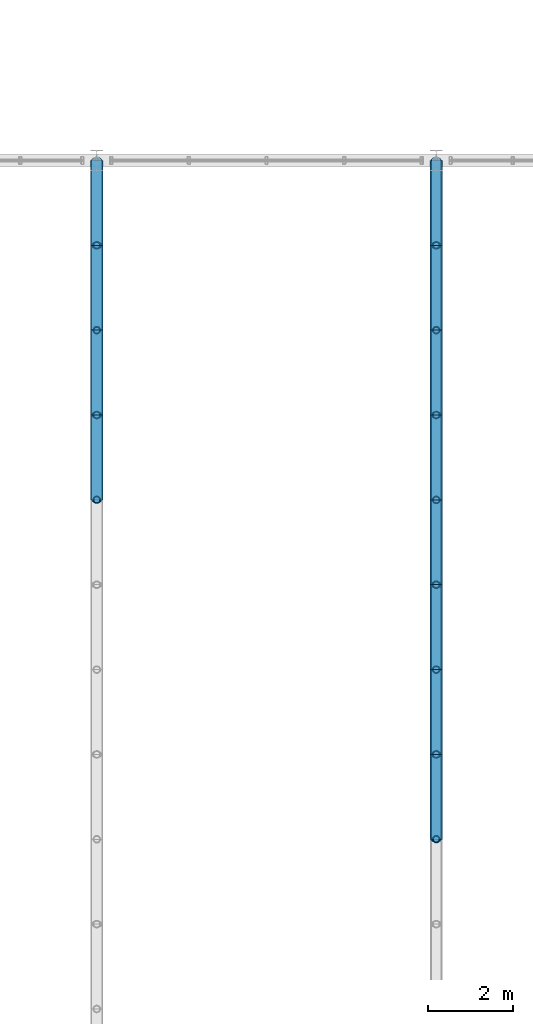
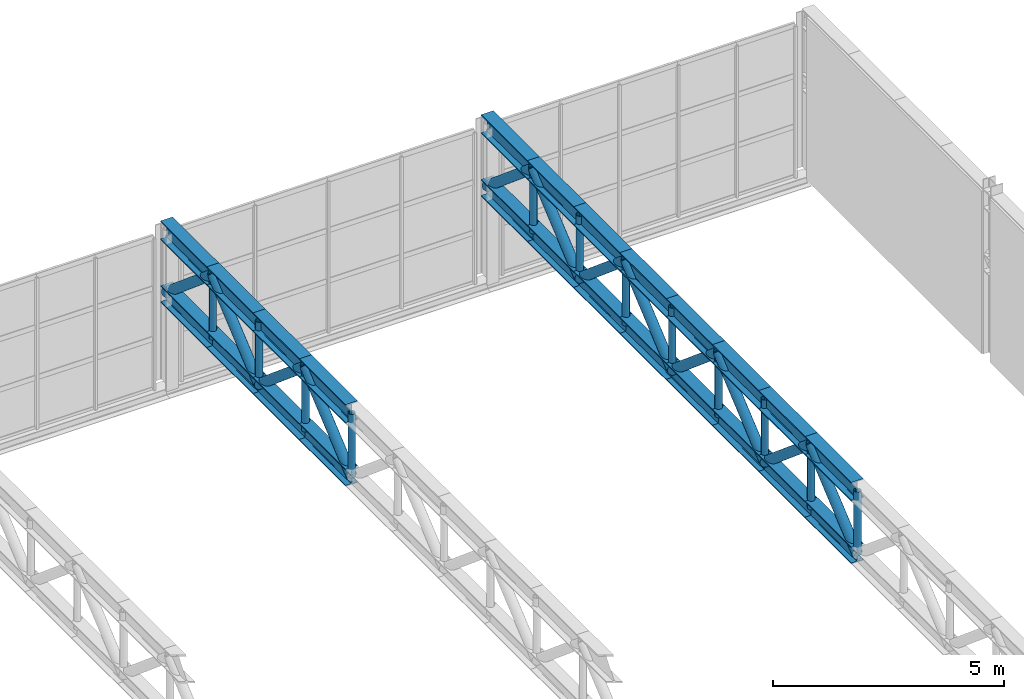
# One storey, part 35 of 67: 48 members.
"""IFC4 building model written with IfcOpenShell, lengths in metres."""

from ifc_helpers import new_model, si_unit, derived_unit, direction, frame, origin, origin_2d, place, context, subcontext, project, spatial, hollow_circle, i_section, extrude, material, material_profile, profile_set, type_object, element, save


model = new_model("IFC4")

# Units and contexts
model_context = context("Model", 3, precision=1e-05, world=origin(), true_north=direction((0.0, 1.0)))
body_context = subcontext(model_context, "Body", "Model", "MODEL_VIEW")
ifc_project = project(units=[si_unit("LENGTHUNIT", "METRE"), si_unit("AREAUNIT", "SQUARE_METRE"), si_unit("VOLUMEUNIT", "CUBIC_METRE"), si_unit("PLANEANGLEUNIT", "RADIAN"), si_unit("MASSUNIT", "GRAM", prefix="KILO"), derived_unit("THERMALTRANSMITTANCEUNIT", [(si_unit("POWERUNIT", "WATT"), 1), (si_unit("LENGTHUNIT", "METRE"), -2), (si_unit("THERMODYNAMICTEMPERATUREUNIT", "KELVIN"), -1)])], contexts=[model_context])

# Site, building, storey
site_placement = place(None, origin())
site = spatial("IfcSite", under=ifc_project, at=site_placement, CompositionType="ELEMENT")
building_placement = place(site_placement, origin())
building = spatial("IfcBuilding", under=site, at=building_placement, Name="Keldorne Ridge Multi-Sports Centre", CompositionType="ELEMENT")
storey_placement = place(building_placement, frame((0.0, 0.0, 14.0)))
storey = spatial("IfcBuildingStorey", under=building, at=storey_placement, Name="L03", CompositionType="ELEMENT", Elevation=14.0)

# Members
ifc_material = material(Name="Steel S355", Category="steel")
ifc_material_profile_1 = material_profile(ifc_material, i_section(OverallWidth=0.300048828125, OverallDepth=0.5, WebThickness=0.014404296875, FlangeThickness=0.028076171875, FilletRadius=0.027099609375, at=origin_2d()), Name="HEB 500")
ifc_profile_set_1 = profile_set([ifc_material_profile_1], Name="Steel S355")
member_type_1 = type_object("IfcMemberType", Name="MEM-TC-03", PredefinedType="CHORD", material=ifc_profile_set_1)
for number, where, z_axis, x_axis, name in (
    (1, (152.0, 46.0, 4.110107421875), (0.0, 1.0, 0.0), (-1.0, 0.0, 0.0), "Stacked Courts Warren TRUSS WT-L04-07 top chord 21"),
    (2, (152.0, 48.0, 4.110107421875), (0.0, 1.0, 0.0), (-1.0, 0.0, 0.0), "Stacked Courts Warren TRUSS WT-L04-07 top chord 22"),
    (3, (152.0, 50.0, 4.110107421875), (0.0, 1.0, 0.0), (-1.0, 0.0, 0.0), "Stacked Courts Warren TRUSS WT-L04-07 top chord 23"),
    (4, (152.0, 52.0, 4.110107421875), (0.0, 1.0, 0.0), (-1.0, 0.0, 0.0), "Stacked Courts Warren TRUSS WT-L04-07 top chord 24"),
    (5, (160.0, 38.0, 4.110107421875), (0.0, 1.0, 0.0), (-1.0, 0.0, 0.0), "Stacked Courts Warren TRUSS WT-L04-08 top chord 17"),
    (6, (160.0, 40.0, 4.110107421875), (0.0, 1.0, 0.0), (-1.0, 0.0, 0.0), "Stacked Courts Warren TRUSS WT-L04-08 top chord 18"),
    (7, (160.0, 42.0, 4.110107421875), (0.0, 1.0, 0.0), (-1.0, 0.0, 0.0), "Stacked Courts Warren TRUSS WT-L04-08 top chord 19"),
    (8, (160.0, 44.0, 4.110107421875), (0.0, 1.0, 0.0), (-1.0, 0.0, 0.0), "Stacked Courts Warren TRUSS WT-L04-08 top chord 20"),
    (9, (160.0, 46.0, 4.110107421875), (0.0, 1.0, 0.0), (-1.0, 0.0, 0.0), "Stacked Courts Warren TRUSS WT-L04-08 top chord 21"),
    (10, (160.0, 48.0, 4.110107421875), (0.0, 1.0, 0.0), (-1.0, 0.0, 0.0), "Stacked Courts Warren TRUSS WT-L04-08 top chord 22"),
    (11, (160.0, 50.0, 4.110107421875), (0.0, 1.0, 0.0), (-1.0, 0.0, 0.0), "Stacked Courts Warren TRUSS WT-L04-08 top chord 23"),
    (12, (160.0, 52.0, 4.110107421875), (0.0, 1.0, 0.0), (-1.0, 0.0, 0.0), "Stacked Courts Warren TRUSS WT-L04-08 top chord 24"),
):
    element("IfcMember", number, at=place(storey_placement, frame(where, z_axis=z_axis, x_axis=x_axis)), inside=storey, type_object=member_type_1, Name=name, PredefinedType="CHORD", context=body_context, shape_type="SweptSolid", body=[
        extrude(i_section(OverallWidth=0.300048828125, OverallDepth=0.5, WebThickness=0.014404296875, FlangeThickness=0.028076171875, FilletRadius=0.027099609375, at=origin_2d()), origin(), (0.0, 0.0, 1.0), 2.0),
    ])
ifc_material_profile_2 = material_profile(ifc_material, i_section(OverallWidth=0.300048828125, OverallDepth=0.449951171875, WebThickness=0.013916015625, FlangeThickness=0.02587890625, FilletRadius=0.027099609375, at=origin_2d()), Name="HEB 450")
ifc_profile_set_2 = profile_set([ifc_material_profile_2], Name="Steel S355")
member_type_2 = type_object("IfcMemberType", Name="MEM-TC-04", PredefinedType="CHORD", material=ifc_profile_set_2)
for number, where, z_axis, x_axis, name in (
    (13, (152.0, 46.0, 2.429931640625), (0.0, 1.0, 0.0), (-1.0, 0.0, 0.0), "Stacked Courts Warren TRUSS WT-L04-07 bottom chord 21"),
    (14, (152.0, 48.0, 2.429931640625), (0.0, 1.0, 0.0), (-1.0, 0.0, 0.0), "Stacked Courts Warren TRUSS WT-L04-07 bottom chord 22"),
    (15, (152.0, 50.0, 2.429931640625), (0.0, 1.0, 0.0), (-1.0, 0.0, 0.0), "Stacked Courts Warren TRUSS WT-L04-07 bottom chord 23"),
    (16, (152.0, 52.0, 2.429931640625), (0.0, 1.0, 0.0), (-1.0, 0.0, 0.0), "Stacked Courts Warren TRUSS WT-L04-07 bottom chord 24"),
    (17, (160.0, 38.0, 2.429931640625), (0.0, 1.0, 0.0), (-1.0, 0.0, 0.0), "Stacked Courts Warren TRUSS WT-L04-08 bottom chord 17"),
    (18, (160.0, 40.0, 2.429931640625), (0.0, 1.0, 0.0), (-1.0, 0.0, 0.0), "Stacked Courts Warren TRUSS WT-L04-08 bottom chord 18"),
    (19, (160.0, 42.0, 2.429931640625), (0.0, 1.0, 0.0), (-1.0, 0.0, 0.0), "Stacked Courts Warren TRUSS WT-L04-08 bottom chord 19"),
    (20, (160.0, 44.0, 2.429931640625), (0.0, 1.0, 0.0), (-1.0, 0.0, 0.0), "Stacked Courts Warren TRUSS WT-L04-08 bottom chord 20"),
    (21, (160.0, 46.0, 2.429931640625), (0.0, 1.0, 0.0), (-1.0, 0.0, 0.0), "Stacked Courts Warren TRUSS WT-L04-08 bottom chord 21"),
    (22, (160.0, 48.0, 2.429931640625), (0.0, 1.0, 0.0), (-1.0, 0.0, 0.0), "Stacked Courts Warren TRUSS WT-L04-08 bottom chord 22"),
    (23, (160.0, 50.0, 2.429931640625), (0.0, 1.0, 0.0), (-1.0, 0.0, 0.0), "Stacked Courts Warren TRUSS WT-L04-08 bottom chord 23"),
    (24, (160.0, 52.0, 2.429931640625), (0.0, 1.0, 0.0), (-1.0, 0.0, 0.0), "Stacked Courts Warren TRUSS WT-L04-08 bottom chord 24"),
):
    element("IfcMember", number, at=place(storey_placement, frame(where, z_axis=z_axis, x_axis=x_axis)), inside=storey, type_object=member_type_2, Name=name, PredefinedType="CHORD", context=body_context, shape_type="SweptSolid", body=[
        extrude(i_section(OverallWidth=0.300048828125, OverallDepth=0.449951171875, WebThickness=0.013916015625, FlangeThickness=0.02587890625, FilletRadius=0.027099609375, at=origin_2d()), origin(), (0.0, 0.0, 1.0), 2.0),
    ])
ifc_material_profile_3 = material_profile(ifc_material, hollow_circle(Radius=0.122314453125, WallThickness=0.012451171875, at=origin_2d()), Name="CHS 244.5x12.5")
ifc_profile_set_3 = profile_set([ifc_material_profile_3], Name="Steel S355")
member_type_3 = type_object("IfcMemberType", Name="MEM-TD-02", PredefinedType="BRACE", material=ifc_profile_set_3)
for number, where, z_axis, x_axis, name in (
    (25, (152.0, 46.0, 2.429931640625), (0.0, 0.765671721121, 0.643231541108), (-1.0, 0.0, 0.0), "Stacked Courts Warren TRUSS WT-L04-07 diagonal 21"),
    (26, (152.0, 48.0, 4.110107421875), (0.0, 0.765671721121, -0.643231541108), (-1.0, 0.0, 0.0), "Stacked Courts Warren TRUSS WT-L04-07 diagonal 22"),
    (27, (152.0, 50.0, 2.429931640625), (0.0, 0.765671721121, 0.643231541108), (-1.0, 0.0, 0.0), "Stacked Courts Warren TRUSS WT-L04-07 diagonal 23"),
    (28, (152.0, 52.0, 4.110107421875), (0.0, 0.765671721121, -0.643231541108), (-1.0, 0.0, 0.0), "Stacked Courts Warren TRUSS WT-L04-07 diagonal 24"),
    (29, (160.0, 38.0, 2.429931640625), (0.0, 0.765671721121, 0.643231541108), (-1.0, 0.0, 0.0), "Stacked Courts Warren TRUSS WT-L04-08 diagonal 17"),
    (30, (160.0, 40.0, 4.110107421875), (0.0, 0.765671721121, -0.643231541108), (-1.0, 0.0, 0.0), "Stacked Courts Warren TRUSS WT-L04-08 diagonal 18"),
    (31, (160.0, 42.0, 2.429931640625), (0.0, 0.765671721121, 0.643231541108), (-1.0, 0.0, 0.0), "Stacked Courts Warren TRUSS WT-L04-08 diagonal 19"),
    (32, (160.0, 44.0, 4.110107421875), (0.0, 0.765671721121, -0.643231541108), (-1.0, 0.0, 0.0), "Stacked Courts Warren TRUSS WT-L04-08 diagonal 20"),
    (33, (160.0, 46.0, 2.429931640625), (0.0, 0.765671721121, 0.643231541108), (-1.0, 0.0, 0.0), "Stacked Courts Warren TRUSS WT-L04-08 diagonal 21"),
    (34, (160.0, 48.0, 4.110107421875), (0.0, 0.765671721121, -0.643231541108), (-1.0, 0.0, 0.0), "Stacked Courts Warren TRUSS WT-L04-08 diagonal 22"),
    (35, (160.0, 50.0, 2.429931640625), (0.0, 0.765671721121, 0.643231541108), (-1.0, 0.0, 0.0), "Stacked Courts Warren TRUSS WT-L04-08 diagonal 23"),
    (36, (160.0, 52.0, 4.110107421875), (0.0, 0.765671721121, -0.643231541108), (-1.0, 0.0, 0.0), "Stacked Courts Warren TRUSS WT-L04-08 diagonal 24"),
):
    element("IfcMember", number, at=place(storey_placement, frame(where, z_axis=z_axis, x_axis=x_axis)), inside=storey, type_object=member_type_3, Name=name, PredefinedType="BRACE", context=body_context, shape_type="SweptSolid", body=[
        extrude(hollow_circle(Radius=0.122314453125, WallThickness=0.012451171875, at=origin_2d()), origin(), (0.0, 0.0, 1.0), 2.612060546875),
    ])
ifc_material_profile_4 = material_profile(ifc_material, hollow_circle(Radius=0.084228515625, WallThickness=0.010009765625, at=origin_2d()), Name="CHS 168.3x10")
ifc_profile_set_4 = profile_set([ifc_material_profile_4], Name="Steel S355")
member_type_4 = type_object("IfcMemberType", Name="MEM-TV-01", PredefinedType="STRUT", material=ifc_profile_set_4)
for number, where, z_axis, x_axis, name in (
    (37, (152.0, 46.0, 2.429931640625), (0.0, 0.0, 1.0), (1.0, 0.0, 0.0), "Stacked Courts Warren TRUSS WT-L04-07 post 21"),
    (38, (152.0, 48.0, 2.429931640625), (0.0, 0.0, 1.0), (1.0, 0.0, 0.0), "Stacked Courts Warren TRUSS WT-L04-07 post 22"),
    (39, (152.0, 50.0, 2.429931640625), (0.0, 0.0, 1.0), (1.0, 0.0, 0.0), "Stacked Courts Warren TRUSS WT-L04-07 post 23"),
    (40, (152.0, 52.0, 2.429931640625), (0.0, 0.0, 1.0), (1.0, 0.0, 0.0), "Stacked Courts Warren TRUSS WT-L04-07 post 24"),
    (41, (160.0, 38.0, 2.429931640625), (0.0, 0.0, 1.0), (1.0, 0.0, 0.0), "Stacked Courts Warren TRUSS WT-L04-08 post 17"),
    (42, (160.0, 40.0, 2.429931640625), (0.0, 0.0, 1.0), (1.0, 0.0, 0.0), "Stacked Courts Warren TRUSS WT-L04-08 post 18"),
    (43, (160.0, 42.0, 2.429931640625), (0.0, 0.0, 1.0), (1.0, 0.0, 0.0), "Stacked Courts Warren TRUSS WT-L04-08 post 19"),
    (44, (160.0, 44.0, 2.429931640625), (0.0, 0.0, 1.0), (1.0, 0.0, 0.0), "Stacked Courts Warren TRUSS WT-L04-08 post 20"),
    (45, (160.0, 46.0, 2.429931640625), (0.0, 0.0, 1.0), (1.0, 0.0, 0.0), "Stacked Courts Warren TRUSS WT-L04-08 post 21"),
    (46, (160.0, 48.0, 2.429931640625), (0.0, 0.0, 1.0), (1.0, 0.0, 0.0), "Stacked Courts Warren TRUSS WT-L04-08 post 22"),
    (47, (160.0, 50.0, 2.429931640625), (0.0, 0.0, 1.0), (1.0, 0.0, 0.0), "Stacked Courts Warren TRUSS WT-L04-08 post 23"),
    (48, (160.0, 52.0, 2.429931640625), (0.0, 0.0, 1.0), (1.0, 0.0, 0.0), "Stacked Courts Warren TRUSS WT-L04-08 post 24"),
):
    element("IfcMember", number, at=place(storey_placement, frame(where, z_axis=z_axis, x_axis=x_axis)), inside=storey, type_object=member_type_4, Name=name, PredefinedType="STRUT", context=body_context, shape_type="SweptSolid", body=[
        extrude(hollow_circle(Radius=0.084228515625, WallThickness=0.010009765625, at=origin_2d()), origin(), (0.0, 0.0, 1.0), 1.68017578125),
    ])

save(model, "model.ifc")
